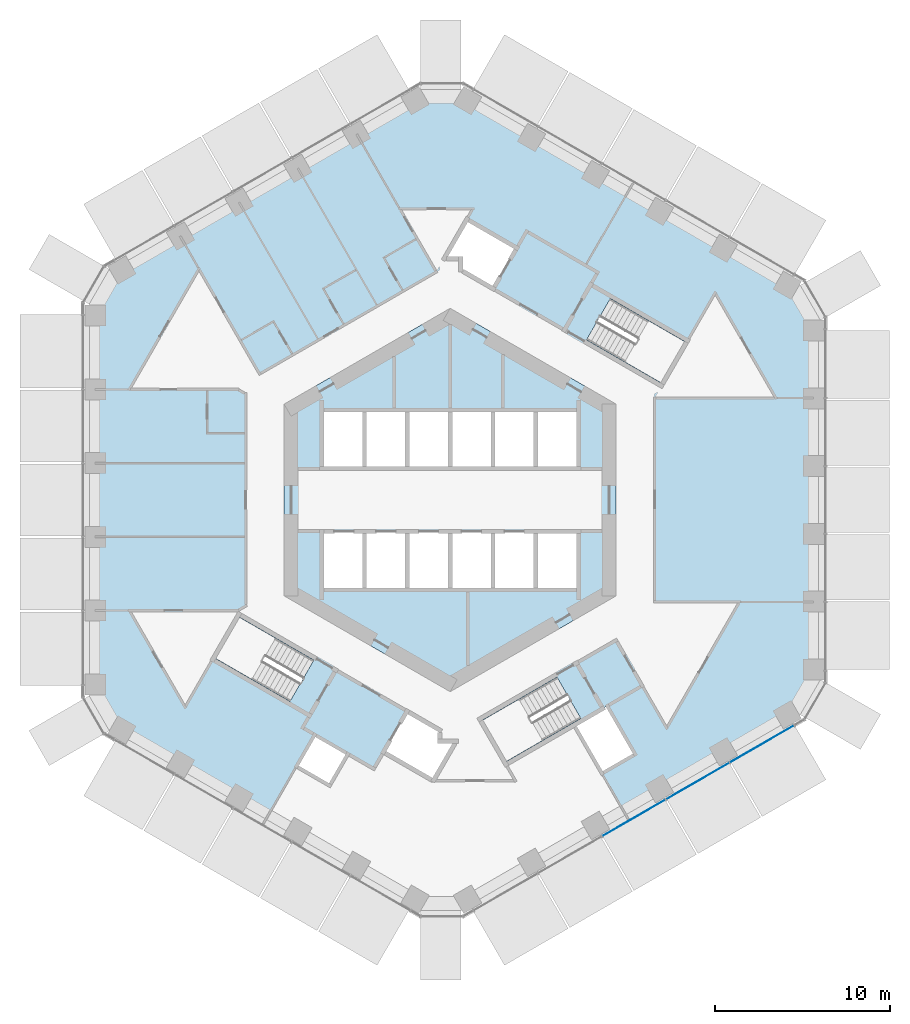
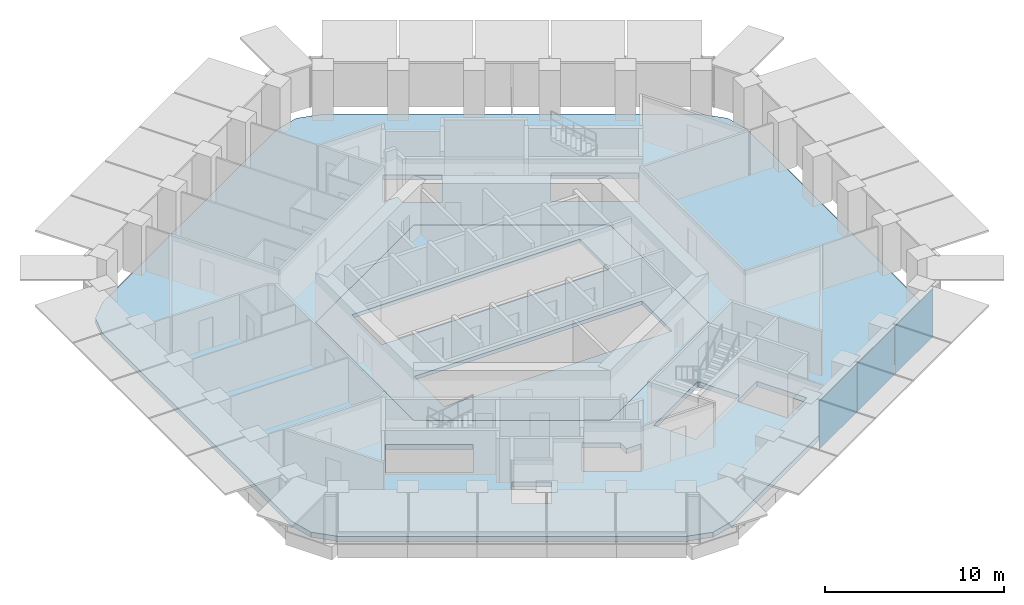
# One storey, part 9 of 19: 3 plates, 2 slabs, 1 element without a shape of its own.
"""IFC4 building model written with IfcOpenShell, lengths in metres."""

from ifc_helpers import new_model, si_unit, direction, frame, origin, origin_2d, place, context, subcontext, project, spatial, polyline, rectangle, outline, extrude, material, layer, layer_set, type_object, element, aggregate, save


model = new_model("IFC4")

# Units and contexts
model_context = context("Model", 3, precision=1e-05, world=origin(), true_north=direction((0.0, 1.0)))
body_context = subcontext(model_context, "Body", "Model", "MODEL_VIEW")
ifc_project = project(units=[si_unit("LENGTHUNIT", "METRE"), si_unit("AREAUNIT", "SQUARE_METRE"), si_unit("VOLUMEUNIT", "CUBIC_METRE"), si_unit("PLANEANGLEUNIT", "RADIAN"), si_unit("MASSUNIT", "GRAM", prefix="KILO")], contexts=[model_context])

# Site, building, storey
site_placement = place(None, origin())
site = spatial("IfcSite", under=ifc_project, at=site_placement, CompositionType="ELEMENT")
building_placement = place(site_placement, origin())
building = spatial("IfcBuilding", under=site, at=building_placement, Name="Ayvan Gate Tower", CompositionType="ELEMENT")
storey_placement = place(building_placement, frame((0.0, 0.0, 52.699951171875)))
storey = spatial("IfcBuildingStorey", under=building, at=storey_placement, Name="L13", CompositionType="ELEMENT", Elevation=52.699951171875)

# Slabs
ifc_material_1 = material(Name="Concrete C40/50", Category="concrete")
ifc_layer_1 = layer(ifc_material_1, 0.35009765625)
ifc_layer_set_1 = layer_set([ifc_layer_1], Name="Concrete C40/50")
slab_type_1 = type_object("IfcSlabType", Name="Post-tensioned flat slab 350", PredefinedType="FLOOR", material=ifc_layer_set_1)
slab_1_placement = place(storey_placement, frame((0.0, 0.0, -0.349853515625)))
element("IfcSlab", 1, at=slab_1_placement, inside=storey, type_object=slab_type_1, Name="SL-L13", PredefinedType="FLOOR", context=body_context, shape_type="SweptSolid", body=[
    extrude(outline(polyline([(-1.974853515625, -22.85986328125), (-18.809814453125, -13.14013671875), (-19.907958984375, -12.0419921875), (-20.309814453125, -10.5419921875), (-20.309814453125, 10.5419921875), (-19.907958984375, 12.0419921875), (-18.809814453125, 13.14013671875), (-1.974853515625, 22.85986328125), (-0.474853515625, 23.26171875), (1.025146484375, 22.85986328125), (19.28466796875, 12.31787109375), (20.382568359375, 11.2197265625), (20.78466796875, 9.7197265625), (20.78466796875, -9.7197265625), (20.382568359375, -11.2197265625), (19.28466796875, -12.31787109375), (1.025146484375, -22.85986328125), (-0.474853515625, -23.26171875), (-1.974853515625, -22.85986328125)]), holes=[polyline([(9.1611328125, 11.517578125), (7.80615234375, 9.170654296875), (12.049560546875, 6.720458984375), (13.404541015625, 9.0673828125), (9.1611328125, 11.517578125)]), polyline([(10.595458984375, -14.5517578125), (8.995361328125, -11.780517578125), (8.735595703125, -11.9306640625), (7.090087890625, -12.880615234375), (8.690185546875, -15.65185546875), (10.595458984375, -14.5517578125)]), polyline([(-9.5, 5.48486328125), (-9.5, -5.48486328125), (0.0, -10.9697265625), (9.5, -5.48486328125), (9.5, 5.48486328125), (0.0, 10.9697265625), (-9.5, 5.48486328125)]), polyline([(7.472412109375, -12.492431640625), (6.117431640625, -10.1455078125), (1.873779296875, -12.595458984375), (3.228759765625, -14.9423828125), (7.472412109375, -12.492431640625)]), polyline([(3.822509765625, 14.420654296875), (0.964599609375, 16.07080078125), (-0.340576171875, 13.81005859375), (0.60009765625, 13.81005859375), (0.60009765625, 13.16357421875), (2.472412109375, 12.08251953125), (3.822509765625, 14.420654296875)]), polyline([(-0.60009765625, -13.81005859375), (-0.60009765625, -13.16357421875), (-2.472412109375, -12.08251953125), (-3.822509765625, -14.420654296875), (-0.964599609375, -16.07080078125), (-0.95947265625, -16.061767578125), (0.340576171875, -13.81005859375), (-0.60009765625, -13.81005859375)]), polyline([(-8.800048828125, -15.241943359375), (-6.894775390625, -16.342041015625), (-5.8447265625, -14.5234375), (-7.75, -13.42333984375), (-8.800048828125, -15.241943359375)]), polyline([(-12.049560546875, -6.720458984375), (-13.404541015625, -9.0673828125), (-9.1611328125, -11.517578125), (-7.80615234375, -9.170654296875), (-12.049560546875, -6.720458984375)])]), origin(), (0.0, 0.0, 1.0), 0.349853515625),
])
ifc_layer_2 = layer(ifc_material_1, 0.25)
ifc_layer_set_2 = layer_set([ifc_layer_2], Name="Concrete C40/50")
slab_type_2 = type_object("IfcSlabType", Name="SL-CORE-250", PredefinedType="FLOOR", material=ifc_layer_set_2)
slab_2_placement = place(storey_placement, frame((0.0, 0.0, -0.25)))
element("IfcSlab", 2, at=slab_2_placement, inside=storey, type_object=slab_type_2, Name="CS-L13", PredefinedType="FLOOR", context=body_context, shape_type="SweptSolid", body=[
    extrude(outline(polyline([(9.5, -5.48486328125), (0.0, -10.9697265625), (-9.5, -5.48486328125), (-9.5, 5.48486328125), (0.0, 10.9697265625), (9.5, 5.48486328125), (9.5, -5.48486328125)]), holes=[polyline([(-7.35009765625, -1.800048828125), (-7.35009765625, -5.14990234375), (7.35009765625, -5.14990234375), (7.35009765625, -1.800048828125), (-7.35009765625, -1.800048828125)]), polyline([(-7.35009765625, 5.14990234375), (-7.35009765625, 1.800048828125), (7.35009765625, 1.800048828125), (7.35009765625, 5.14990234375), (-7.35009765625, 5.14990234375)])]), origin(), (0.0, 0.0, 1.0), 0.25),
])

# Curtain wall, plates
ifc_material_2 = material(Name="Bronze anodised aluminium", Category="aluminium")
ifc_layer_3 = layer(ifc_material_2, 0.199951171875)
ifc_layer_set_3 = layer_set([ifc_layer_3], Name="Bronze anodised aluminium")
curtain_wall_type = type_object("IfcCurtainWallType", Name="Stick curtain wall CW-1", PredefinedType="NOTDEFINED", material=ifc_layer_set_3)
curtain_wall_placement = place(storey_placement, origin())
curtain_wall = element("IfcCurtainWall", 3, at=curtain_wall_placement, inside=storey, type_object=curtain_wall_type, Name="Stick curtain wall CW-1 L13", PredefinedType="NOTDEFINED")
ifc_material_3 = material(Name="Clear low-iron laminated glass", Category="glass")
ifc_layer_4 = layer(ifc_material_3, 0.028076171875)
ifc_layer_set_4 = layer_set([ifc_layer_4], Name="Clear low-iron laminated glass")
plate_type = type_object("IfcPlateType", Name="Stick curtain wall CW-1 glass panel", PredefinedType="CURTAIN_PANEL", material=ifc_layer_set_4)
plate_1_placement = place(storey_placement, frame((10.504638671875, -18.195068359375, 0.0), z_axis=(0.0, 0.0, 1.0), x_axis=(0.866025403784, 0.5, 0.0)))
plate_1 = element("IfcPlate", 4, at=plate_1_placement, type_object=plate_type, Name="CW-1 glass panel 3", PredefinedType="CURTAIN_PANEL", context=body_context, shape_type="SweptSolid", body=[
    extrude(rectangle(XDim=4.1640625, YDim=0.028076171875, at=origin_2d()), origin(), (0.0, 0.0, 1.0), 3.280029296875),
])
plate_2_placement = place(storey_placement, frame((14.162841796875, -16.083251953125, 0.0), z_axis=(0.0, 0.0, 1.0), x_axis=(0.866025403784, 0.5, 0.0)))
plate_2 = element("IfcPlate", 5, at=plate_2_placement, type_object=plate_type, Name="CW-1 glass panel 4", PredefinedType="CURTAIN_PANEL", context=body_context, shape_type="SweptSolid", body=[
    extrude(rectangle(XDim=4.1640625, YDim=0.028076171875, at=origin_2d()), origin(), (0.0, 0.0, 1.0), 3.280029296875),
])
plate_3_placement = place(storey_placement, frame((17.85302734375, -13.95263671875, 0.0), z_axis=(0.0, 0.0, 1.0), x_axis=(0.866025403784, 0.5, 0.0)))
plate_3 = element("IfcPlate", 6, at=plate_3_placement, type_object=plate_type, Name="CW-1 glass panel 5", PredefinedType="CURTAIN_PANEL", context=body_context, shape_type="SweptSolid", body=[
    extrude(rectangle(XDim=4.238525390625, YDim=0.028076171875, at=origin_2d()), origin(), (0.0, 0.0, 1.0), 3.280029296875),
])
aggregate(curtain_wall, [plate_1, plate_2, plate_3])

save(model, "model.ifc")
